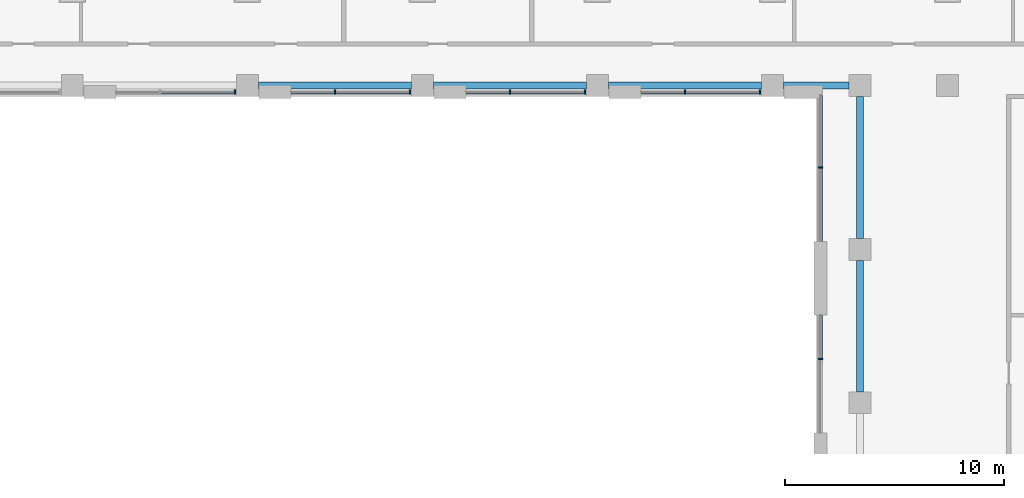
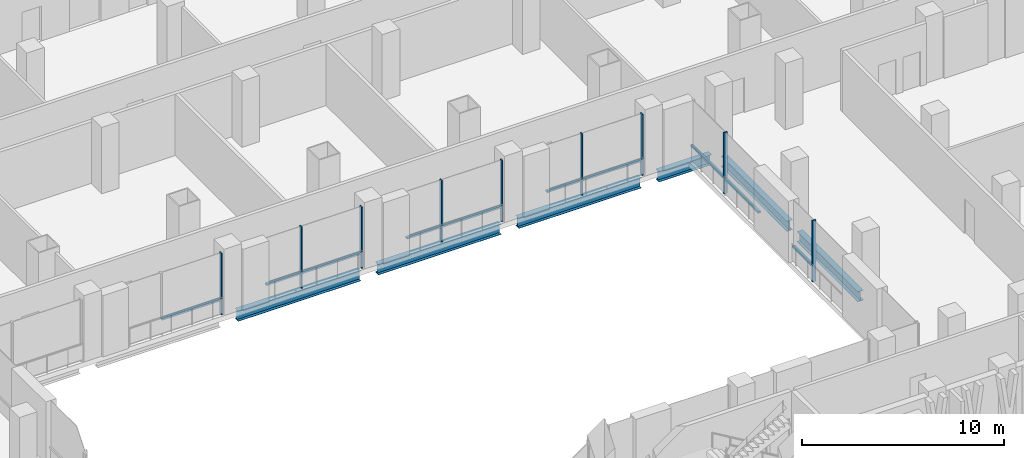
# One storey, part 4 of 25: 19 members, 6 beams, 6 elements without a shape of their own.
"""IFC4 building model written with IfcOpenShell, lengths in metres."""

import ifcopenshell
import ifcopenshell.guid

model = None  # the IFC model being written
_history = None  # IfcOwnerHistory: only IFC2X3 demands one
_inside = {}  # id of a spatial element -> (the spatial element, [elements in it])
_under = {}  # id of a project, library or spatial element -> (it, [spatial elements below it])
_declared = {}  # id of a project -> (the project, [libraries it declares])
_typed = {}  # id of a type object -> (the type object, [elements of that type])
_made_of = {}  # id of a material, layer set ... -> (it, [elements and type objects made of it])


def new_model(schema):
    """Start an empty IFC model of exactly this schema.

    Asked for "IFC4X3", IfcOpenShell would pick the latest addendum, in which some entities
    have other attributes; the version numbers below select the first issue.
    IFC2X3 requires an IfcOwnerHistory on every rooted entity: one is made here for all.
    """
    global model, _history
    if schema == "IFC4X3":
        model = ifcopenshell.file(schema_version=(4, 3, 0, 0))
    else:
        model = ifcopenshell.file(schema=schema)
    _inside.clear()
    _under.clear()
    _declared.clear()
    _typed.clear()
    _made_of.clear()
    _history = None
    if model.schema == "IFC2X3":
        org = make("IfcOrganization", Name="unknown")
        user = make(
            "IfcPersonAndOrganization",
            ThePerson=make("IfcPerson", FamilyName="unknown"),
            TheOrganization=org,
        )
        app = make(
            "IfcApplication",
            ApplicationDeveloper=org,
            Version="unknown",
            ApplicationFullName="unknown",
            ApplicationIdentifier="unknown",
        )
        _history = make(
            "IfcOwnerHistory",
            OwningUser=user,
            OwningApplication=app,
            ChangeAction="ADDED",
            CreationDate=0,
        )
    return model


def make(cls, **values):
    """One entity of the class cls with the attributes given. An attribute that is None is left unset."""
    return model.create_entity(
        cls, **{name: value for name, value in values.items() if value is not None}
    )


def rooted(cls, **values):
    """An entity with a GlobalId (a new one), such as an element, a storey or a relation."""
    return make(cls, GlobalId=ifcopenshell.guid.new(), OwnerHistory=_history, **values)


def si_unit(unit_type, name, prefix=None):
    """IfcSIUnit, for example si_unit("LENGTHUNIT", "METRE", prefix="MILLI")."""
    return make("IfcSIUnit", UnitType=unit_type, Prefix=prefix, Name=name)


def assignment(units):
    """IfcUnitAssignment: the units of a project."""
    return None if units is None else make("IfcUnitAssignment", Units=units)


def point(xyz):
    """IfcCartesianPoint."""
    return None if xyz is None else make("IfcCartesianPoint", Coordinates=xyz)


def direction(xyz):
    """IfcDirection."""
    return None if xyz is None else make("IfcDirection", DirectionRatios=xyz)


def frame(location, z_axis=None, x_axis=None):
    """IfcAxis2Placement3D, a coordinate frame: its origin and axes. An axis left out is left unset."""
    return make(
        "IfcAxis2Placement3D",
        Location=point(location),
        Axis=direction(z_axis),
        RefDirection=direction(x_axis),
    )


def frame_2d(location, x_axis=None):
    """IfcAxis2Placement2D, a coordinate frame in the plane: its origin and x axis."""
    return make(
        "IfcAxis2Placement2D", Location=point(location), RefDirection=direction(x_axis)
    )


def origin():
    """The frame at (0, 0, 0) with its axes left unset."""
    return frame((0.0, 0.0, 0.0))


def origin_2d():
    """The frame at (0, 0) in the plane with its x axis left unset."""
    return frame_2d((0.0, 0.0))


def place(relative_to, where):
    """IfcLocalPlacement: puts the frame where relative to a parent placement (None: the world)."""
    return make(
        "IfcLocalPlacement", PlacementRelTo=relative_to, RelativePlacement=where
    )


def context(
    kind, dimensions, precision=None, world=None, true_north=None, identifier=None
):
    """IfcGeometricRepresentationContext, for example the 3D "Model" context."""
    return make(
        "IfcGeometricRepresentationContext",
        ContextIdentifier=identifier,
        ContextType=kind,
        CoordinateSpaceDimension=dimensions,
        Precision=precision,
        WorldCoordinateSystem=world,
        TrueNorth=true_north,
    )


def subcontext(parent, identifier, kind, view, scale=None):
    """IfcGeometricRepresentationSubContext, for example "Body" below "Model"."""
    return make(
        "IfcGeometricRepresentationSubContext",
        ContextIdentifier=identifier,
        ContextType=kind,
        ParentContext=parent,
        TargetScale=scale,
        TargetView=view,
    )


def project(units=None, contexts=None):
    """IfcProject with its units and contexts."""
    return rooted(
        "IfcProject",
        Name="project",
        RepresentationContexts=contexts,
        UnitsInContext=assignment(units),
    )


def spatial(cls, under=None, at=None, **own):
    """A site, building, storey or space (cls), placed at a placement, below another one or the project."""
    s = rooted(cls, ObjectPlacement=at, **own)
    if under is not None:
        _under.setdefault(under.id(), (under, []))[1].append(s)
    return s


def profile(cls, at=None, kind="AREA", **sizes):
    """A parametric profile (cls). Its sizes go by their IFC names, for example OverallWidth=200.0."""
    return make(cls, ProfileType=kind, Position=at, **sizes)


def rectangle(**sizes):
    """IfcRectangleProfileDef."""
    return profile("IfcRectangleProfileDef", **sizes)


def i_section(**sizes):
    """IfcIShapeProfileDef."""
    return profile("IfcIShapeProfileDef", **sizes)


def extrude(swept, where, along, depth):
    """IfcExtrudedAreaSolid: the profile swept, set in the frame where, extruded along a direction by depth."""
    return make(
        "IfcExtrudedAreaSolid",
        SweptArea=swept,
        Position=where,
        ExtrudedDirection=direction(along),
        Depth=depth,
    )


def shape(context_of_items, identifier, shape_type, items):
    """IfcShapeRepresentation: the items that make up one representation, for example the "Body"."""
    return make(
        "IfcShapeRepresentation",
        ContextOfItems=context_of_items,
        RepresentationIdentifier=identifier,
        RepresentationType=shape_type,
        Items=items,
    )


def material(Name=None, Category=None):
    """IfcMaterial."""
    return make("IfcMaterial", Name=Name, Category=Category)


def material_profile(
    of_material, cross_section, Name=None, Category=None, Priority=None
):
    """IfcMaterialProfile: a cross section and its material."""
    return make(
        "IfcMaterialProfile",
        Name=Name,
        Material=of_material,
        Profile=cross_section,
        Priority=Priority,
        Category=Category,
    )


def profile_set(profiles, Name=None, composite=None):
    """IfcMaterialProfileSet."""
    return make(
        "IfcMaterialProfileSet",
        Name=Name,
        MaterialProfiles=profiles,
        CompositeProfile=composite,
    )


def made_of(thing, what):
    """Note that an element or type object is made of a material, layer set ...; save() writes the relation."""
    if what is not None:
        _made_of.setdefault(what.id(), (what, []))[1].append(thing)
    return thing


def type_object(cls, material=None, **own):
    """A type object (cls), such as IfcWallType, which elements share."""
    return made_of(rooted(cls, **own), material)


def element(
    cls,
    number,
    at=None,
    inside=None,
    cuts=None,
    type_object=None,
    material=None,
    context=None,
    identifier="Body",
    shape_type=None,
    held_by="IfcProductDefinitionShape",
    body=None,
    shapes=None,
    **own,
):
    """One element of the class cls, such as IfcWall. Its Tag is "e" and its number.

    at: its placement. inside: the storey or other place that contains it. cuts: it is an
    opening in that element (IfcRelVoidsElement). A single representation is given by context,
    identifier, shape_type and body (its items); several are given by shapes. held_by: the class
    of the entity that holds the representations. save() writes the other relations.
    """
    e = rooted(cls, Tag="e%d" % number, ObjectPlacement=at, **own)
    if body is not None:
        shapes = [shape(context, identifier, shape_type, body)]
    if shapes is not None:
        e.Representation = make(held_by, Representations=shapes)
    if inside is not None:
        _inside.setdefault(inside.id(), (inside, []))[1].append(e)
    if cuts is not None:
        rooted(
            "IfcRelVoidsElement", RelatingBuildingElement=cuts, RelatedOpeningElement=e
        )
    if type_object is not None:
        _typed.setdefault(type_object.id(), (type_object, []))[1].append(e)
    return made_of(e, material)


def aggregate(whole, parts):
    """IfcRelAggregates: a whole, such as a stair, and the parts it consists of."""
    return rooted("IfcRelAggregates", RelatingObject=whole, RelatedObjects=parts)


def save(model, path):
    """Write the relations noted so far, then the file.

    IfcRelAggregates (storeys below a building ...), IfcRelContainedInSpatialStructure (elements
    in a storey), IfcRelDefinesByType, IfcRelAssociatesMaterial and IfcRelDeclares: one each for
    every whole, place, type object, material and project.
    """
    for whole, parts in _under.values():
        aggregate(whole, parts)
    for where, things in _inside.values():
        rooted(
            "IfcRelContainedInSpatialStructure",
            RelatedElements=things,
            RelatingStructure=where,
        )
    for kind, things in _typed.values():
        rooted("IfcRelDefinesByType", RelatedObjects=things, RelatingType=kind)
    for what, things in _made_of.values():
        rooted("IfcRelAssociatesMaterial", RelatedObjects=things, RelatingMaterial=what)
    for by, libraries in _declared.values():
        rooted("IfcRelDeclares", RelatingContext=by, RelatedDefinitions=libraries)
    model.write(path)


model = new_model("IFC4")

# Units and contexts
model_context = context("Model", 3, precision=1e-05, world=origin(), true_north=direction((0.0, 1.0)))
body_context = subcontext(model_context, "Body", "Model", "MODEL_VIEW")
ifc_project = project(units=[si_unit("LENGTHUNIT", "METRE"), si_unit("AREAUNIT", "SQUARE_METRE"), si_unit("VOLUMEUNIT", "CUBIC_METRE"), si_unit("PLANEANGLEUNIT", "RADIAN"), si_unit("MASSUNIT", "GRAM", prefix="KILO")], contexts=[model_context])

# Site, building, storey
site_placement = place(None, origin())
site = spatial("IfcSite", under=ifc_project, at=site_placement, CompositionType="ELEMENT")
building_placement = place(site_placement, origin())
building = spatial("IfcBuilding", under=site, at=building_placement, Name="Vidyagriha Tower", CompositionType="ELEMENT")
storey_placement = place(building_placement, frame((0.0, 0.0, 14.0)))
storey = spatial("IfcBuildingStorey", under=building, at=storey_placement, Name="L03", CompositionType="ELEMENT", Elevation=14.0)

# Beams
ifc_material_1 = material(Name="Steel ASTM A992 Grade 50", Category="steel")
ifc_material_profile_1 = material_profile(ifc_material_1, i_section(OverallWidth=0.32373046875, OverallDepth=0.612060546875, WebThickness=0.0126953125, FlangeThickness=0.01904296875, at=origin_2d()), Name="W24X104")
ifc_profile_set_1 = profile_set([ifc_material_profile_1], Name="Steel ASTM A992 Grade 50")
beam_type = type_object("IfcBeamType", Name="Atrium edge beam W24X104", PredefinedType="BEAM", material=ifc_profile_set_1)
for number, where, z_axis, x_axis, name in (
    (1, (-5.5, -21.5, -0.60595703125), (1.0, 0.0, 0.0), (0.0, 1.0, 0.0), "st-beam-L03-AT09"),
    (2, (2.5, -21.5, -0.60595703125), (1.0, 0.0, 0.0), (0.0, 1.0, 0.0), "st-beam-L03-AT10"),
    (3, (10.5, -21.5, -0.60595703125), (1.0, 0.0, 0.0), (0.0, 1.0, 0.0), "st-beam-L03-AT11"),
):
    element("IfcBeam", number, at=place(storey_placement, frame(where, z_axis=z_axis, x_axis=x_axis)), inside=storey, type_object=beam_type, Name=name, PredefinedType="BEAM", context=body_context, shape_type="SweptSolid", body=[
        extrude(i_section(OverallWidth=0.32373046875, OverallDepth=0.612060546875, WebThickness=0.0126953125, FlangeThickness=0.01904296875, at=origin_2d()), origin(), (0.0, 0.0, 1.0), 7.0),
    ])
beam_1_placement = place(storey_placement, frame((18.5, -21.5, -0.60595703125), z_axis=(1.0, 0.0, 0.0), x_axis=(0.0, 1.0, 0.0)))
element("IfcBeam", 4, at=beam_1_placement, inside=storey, type_object=beam_type, Name="st-beam-L03-AT12", PredefinedType="BEAM", context=body_context, shape_type="SweptSolid", body=[
    extrude(i_section(OverallWidth=0.32373046875, OverallDepth=0.612060546875, WebThickness=0.0126953125, FlangeThickness=0.01904296875, at=origin_2d()), origin(), (0.0, 0.0, 1.0), 3.0),
])
beam_2_placement = place(storey_placement, frame((22.0, -35.5, -0.60595703125), z_axis=(0.0, 1.0, 0.0), x_axis=(-1.0, 0.0, 0.0)))
element("IfcBeam", 5, at=beam_2_placement, inside=storey, type_object=beam_type, Name="st-beam-L03-AT17", PredefinedType="BEAM", context=body_context, shape_type="SweptSolid", body=[
    extrude(i_section(OverallWidth=0.32373046875, OverallDepth=0.612060546875, WebThickness=0.0126953125, FlangeThickness=0.01904296875, at=origin_2d()), origin(), (0.0, 0.0, 1.0), 6.0),
])
beam_3_placement = place(storey_placement, frame((22.0, -28.5, -0.60595703125), z_axis=(0.0, 1.0, 0.0), x_axis=(-1.0, 0.0, 0.0)))
element("IfcBeam", 6, at=beam_3_placement, inside=storey, type_object=beam_type, Name="st-beam-L03-AT18", PredefinedType="BEAM", context=body_context, shape_type="SweptSolid", body=[
    extrude(i_section(OverallWidth=0.32373046875, OverallDepth=0.612060546875, WebThickness=0.0126953125, FlangeThickness=0.01904296875, at=origin_2d()), origin(), (0.0, 0.0, 1.0), 6.5),
])

# Curtain wall, member
ifc_material_2 = material(Name="Aluminium and glass curtain wall", Category="aluminium")
curtain_wall_type = type_object("IfcCurtainWallType", Name="Atrium screen curtain wall", PredefinedType="USERDEFINED", material=ifc_material_2)
curtain_wall_1_placement = place(storey_placement, origin())
curtain_wall_1 = element("IfcCurtainWall", 7, at=curtain_wall_1_placement, inside=storey, type_object=curtain_wall_type, Name="CW6 atrium screen", ObjectType="UNITISED", PredefinedType="USERDEFINED")
ifc_material_3 = material(Name="Aluminium black anodised", Category="aluminium")
ifc_material_profile_2 = material_profile(ifc_material_3, rectangle(XDim=0.199951171875, YDim=0.070068359375, at=origin_2d()), Name="Mullion 70x200 black aluminium")
ifc_profile_set_2 = profile_set([ifc_material_profile_2], Name="Aluminium black anodised")
member_type_1 = type_object("IfcMemberType", Name="Mullion 70x200 black aluminium", PredefinedType="MULLION", material=ifc_profile_set_2)
member_1_placement = place(storey_placement, frame((-6.56494140625, -21.800048828125, 0.0), z_axis=(0.0, 0.0, 1.0), x_axis=(0.0, 1.0, 0.0)))
member_1 = element("IfcMember", 8, at=member_1_placement, type_object=member_type_1, Name="CW6 mullion 3", PredefinedType="MULLION", context=body_context, shape_type="SweptSolid", body=[
    extrude(rectangle(XDim=0.199951171875, YDim=0.070068359375, at=origin_2d()), origin(), (0.0, 0.0, 1.0), 3.699951171875),
])

# Curtain wall, members
curtain_wall_2_placement = place(storey_placement, origin())
curtain_wall_2 = element("IfcCurtainWall", 9, at=curtain_wall_2_placement, inside=storey, type_object=curtain_wall_type, Name="CW6 atrium screen", ObjectType="UNITISED", PredefinedType="USERDEFINED")
member_2_placement = place(storey_placement, frame((-2.0, -21.800048828125, 0.0), z_axis=(0.0, 0.0, 1.0), x_axis=(0.0, 1.0, 0.0)))
member_2 = element("IfcMember", 10, at=member_2_placement, type_object=member_type_1, Name="CW6 mullion 2", PredefinedType="MULLION", context=body_context, shape_type="SweptSolid", body=[
    extrude(rectangle(XDim=0.199951171875, YDim=0.070068359375, at=origin_2d()), origin(), (0.0, 0.0, 1.0), 3.699951171875),
])
member_3_placement = place(storey_placement, frame((1.43505859375, -21.800048828125, 0.0), z_axis=(0.0, 0.0, 1.0), x_axis=(0.0, 1.0, 0.0)))
member_3 = element("IfcMember", 11, at=member_3_placement, type_object=member_type_1, Name="CW6 mullion 3", PredefinedType="MULLION", context=body_context, shape_type="SweptSolid", body=[
    extrude(rectangle(XDim=0.199951171875, YDim=0.070068359375, at=origin_2d()), origin(), (0.0, 0.0, 1.0), 3.699951171875),
])

curtain_wall_3_placement = place(storey_placement, origin())
curtain_wall_3 = element("IfcCurtainWall", 12, at=curtain_wall_3_placement, inside=storey, type_object=curtain_wall_type, Name="CW6 atrium screen", ObjectType="UNITISED", PredefinedType="USERDEFINED")
member_4_placement = place(storey_placement, frame((6.0, -21.800048828125, 0.0), z_axis=(0.0, 0.0, 1.0), x_axis=(0.0, 1.0, 0.0)))
member_4 = element("IfcMember", 13, at=member_4_placement, type_object=member_type_1, Name="CW6 mullion 2", PredefinedType="MULLION", context=body_context, shape_type="SweptSolid", body=[
    extrude(rectangle(XDim=0.199951171875, YDim=0.070068359375, at=origin_2d()), origin(), (0.0, 0.0, 1.0), 3.699951171875),
])
member_5_placement = place(storey_placement, frame((9.43505859375, -21.800048828125, 0.0), z_axis=(0.0, 0.0, 1.0), x_axis=(0.0, 1.0, 0.0)))
member_5 = element("IfcMember", 14, at=member_5_placement, type_object=member_type_1, Name="CW6 mullion 3", PredefinedType="MULLION", context=body_context, shape_type="SweptSolid", body=[
    extrude(rectangle(XDim=0.199951171875, YDim=0.070068359375, at=origin_2d()), origin(), (0.0, 0.0, 1.0), 3.699951171875),
])

curtain_wall_4_placement = place(storey_placement, origin())
curtain_wall_4 = element("IfcCurtainWall", 15, at=curtain_wall_4_placement, inside=storey, type_object=curtain_wall_type, Name="CW6 atrium screen", ObjectType="UNITISED", PredefinedType="USERDEFINED")
member_6_placement = place(storey_placement, frame((14.0, -21.800048828125, 0.0), z_axis=(0.0, 0.0, 1.0), x_axis=(0.0, 1.0, 0.0)))
member_6 = element("IfcMember", 16, at=member_6_placement, type_object=member_type_1, Name="CW6 mullion 2", PredefinedType="MULLION", context=body_context, shape_type="SweptSolid", body=[
    extrude(rectangle(XDim=0.199951171875, YDim=0.070068359375, at=origin_2d()), origin(), (0.0, 0.0, 1.0), 3.699951171875),
])
member_7_placement = place(storey_placement, frame((17.43505859375, -21.800048828125, 0.0), z_axis=(0.0, 0.0, 1.0), x_axis=(0.0, 1.0, 0.0)))
member_7 = element("IfcMember", 17, at=member_7_placement, type_object=member_type_1, Name="CW6 mullion 3", PredefinedType="MULLION", context=body_context, shape_type="SweptSolid", body=[
    extrude(rectangle(XDim=0.199951171875, YDim=0.070068359375, at=origin_2d()), origin(), (0.0, 0.0, 1.0), 3.699951171875),
])

# Curtain wall, member
curtain_wall_5_placement = place(storey_placement, origin())
curtain_wall_5 = element("IfcCurtainWall", 18, at=curtain_wall_5_placement, inside=storey, type_object=curtain_wall_type, Name="CW6 atrium screen", ObjectType="UNITISED", PredefinedType="USERDEFINED")
member_8_placement = place(storey_placement, frame((20.199951171875, -25.25341796875, 0.0)))
member_8 = element("IfcMember", 19, at=member_8_placement, type_object=member_type_1, Name="CW6 mullion 2", PredefinedType="MULLION", context=body_context, shape_type="SweptSolid", body=[
    extrude(rectangle(XDim=0.199951171875, YDim=0.070068359375, at=origin_2d()), origin(), (0.0, 0.0, 1.0), 3.699951171875),
])

curtain_wall_6_placement = place(storey_placement, origin())
curtain_wall_6 = element("IfcCurtainWall", 20, at=curtain_wall_6_placement, inside=storey, type_object=curtain_wall_type, Name="CW6 atrium screen", ObjectType="UNITISED", PredefinedType="USERDEFINED")
member_9_placement = place(storey_placement, frame((20.199951171875, -34.0, 0.0)))
member_9 = element("IfcMember", 21, at=member_9_placement, type_object=member_type_1, Name="CW6 mullion 2", PredefinedType="MULLION", context=body_context, shape_type="SweptSolid", body=[
    extrude(rectangle(XDim=0.199951171875, YDim=0.070068359375, at=origin_2d()), origin(), (0.0, 0.0, 1.0), 3.699951171875),
])

# Member
ifc_material_4 = material(Name="Aluminium black anodised", Category="aluminium")
ifc_material_profile_3 = material_profile(ifc_material_4, rectangle(XDim=0.159912109375, YDim=0.10009765625, at=origin_2d()), Name="Transom 100x160 black aluminium")
ifc_profile_set_3 = profile_set([ifc_material_profile_3], Name="Aluminium black anodised")
member_type_2 = type_object("IfcMemberType", Name="Transom 100x160 black aluminium", PredefinedType="USERDEFINED", material=ifc_profile_set_3)
member_10_placement = place(storey_placement, frame((-9.965087890625, -21.800048828125, 0.89990234375), z_axis=(1.0, 0.0, 0.0), x_axis=(0.0, 1.0, 0.0)))
member_10 = element("IfcMember", 22, at=member_10_placement, type_object=member_type_2, Name="CW6 transom 2.1", ObjectType="TRANSOM", PredefinedType="USERDEFINED", context=body_context, shape_type="SweptSolid", body=[
    extrude(rectangle(XDim=0.159912109375, YDim=0.10009765625, at=origin_2d()), origin(), (0.0, 0.0, 1.0), 3.364990234375),
])

aggregate(curtain_wall_1, [member_1, member_10])

member_11_placement = place(storey_placement, frame((-4.0, -21.800048828125, 0.89990234375), z_axis=(1.0, 0.0, 0.0), x_axis=(0.0, 1.0, 0.0)))
member_11 = element("IfcMember", 23, at=member_11_placement, type_object=member_type_2, Name="CW6 transom 1.1", ObjectType="TRANSOM", PredefinedType="USERDEFINED", context=body_context, shape_type="SweptSolid", body=[
    extrude(rectangle(XDim=0.159912109375, YDim=0.10009765625, at=origin_2d()), origin(), (0.0, 0.0, 1.0), 1.965087890625),
])

member_12_placement = place(storey_placement, frame((-1.965087890625, -21.800048828125, 0.89990234375), z_axis=(1.0, 0.0, 0.0), x_axis=(0.0, 1.0, 0.0)))
member_12 = element("IfcMember", 24, at=member_12_placement, type_object=member_type_2, Name="CW6 transom 2.1", ObjectType="TRANSOM", PredefinedType="USERDEFINED", context=body_context, shape_type="SweptSolid", body=[
    extrude(rectangle(XDim=0.159912109375, YDim=0.10009765625, at=origin_2d()), origin(), (0.0, 0.0, 1.0), 3.364990234375),
])

aggregate(curtain_wall_2, [member_2, member_3, member_11, member_12])

member_13_placement = place(storey_placement, frame((4.0, -21.800048828125, 0.89990234375), z_axis=(1.0, 0.0, 0.0), x_axis=(0.0, 1.0, 0.0)))
member_13 = element("IfcMember", 25, at=member_13_placement, type_object=member_type_2, Name="CW6 transom 1.1", ObjectType="TRANSOM", PredefinedType="USERDEFINED", context=body_context, shape_type="SweptSolid", body=[
    extrude(rectangle(XDim=0.159912109375, YDim=0.10009765625, at=origin_2d()), origin(), (0.0, 0.0, 1.0), 1.965087890625),
])

member_14_placement = place(storey_placement, frame((6.034912109375, -21.800048828125, 0.89990234375), z_axis=(1.0, 0.0, 0.0), x_axis=(0.0, 1.0, 0.0)))
member_14 = element("IfcMember", 26, at=member_14_placement, type_object=member_type_2, Name="CW6 transom 2.1", ObjectType="TRANSOM", PredefinedType="USERDEFINED", context=body_context, shape_type="SweptSolid", body=[
    extrude(rectangle(XDim=0.159912109375, YDim=0.10009765625, at=origin_2d()), origin(), (0.0, 0.0, 1.0), 3.364990234375),
])

aggregate(curtain_wall_3, [member_4, member_5, member_13, member_14])

member_15_placement = place(storey_placement, frame((12.0, -21.800048828125, 0.89990234375), z_axis=(1.0, 0.0, 0.0), x_axis=(0.0, 1.0, 0.0)))
member_15 = element("IfcMember", 27, at=member_15_placement, type_object=member_type_2, Name="CW6 transom 1.1", ObjectType="TRANSOM", PredefinedType="USERDEFINED", context=body_context, shape_type="SweptSolid", body=[
    extrude(rectangle(XDim=0.159912109375, YDim=0.10009765625, at=origin_2d()), origin(), (0.0, 0.0, 1.0), 1.965087890625),
])

member_16_placement = place(storey_placement, frame((14.034912109375, -21.800048828125, 0.89990234375), z_axis=(1.0, 0.0, 0.0), x_axis=(0.0, 1.0, 0.0)))
member_16 = element("IfcMember", 28, at=member_16_placement, type_object=member_type_2, Name="CW6 transom 2.1", ObjectType="TRANSOM", PredefinedType="USERDEFINED", context=body_context, shape_type="SweptSolid", body=[
    extrude(rectangle(XDim=0.159912109375, YDim=0.10009765625, at=origin_2d()), origin(), (0.0, 0.0, 1.0), 3.364990234375),
])

aggregate(curtain_wall_4, [member_6, member_7, member_15, member_16])

member_17_placement = place(storey_placement, frame((20.199951171875, -21.949951171875, 0.89990234375), z_axis=(0.0, -1.0, 0.0), x_axis=(1.0, 0.0, 0.0)))
member_17 = element("IfcMember", 29, at=member_17_placement, type_object=member_type_2, Name="CW6 transom 1.1", ObjectType="TRANSOM", PredefinedType="USERDEFINED", context=body_context, shape_type="SweptSolid", body=[
    extrude(rectangle(XDim=0.159912109375, YDim=0.10009765625, at=origin_2d()), origin(), (0.0, 0.0, 1.0), 3.268310546875),
])

member_18_placement = place(storey_placement, frame((20.199951171875, -25.288330078125, 0.89990234375), z_axis=(0.0, -1.0, 0.0), x_axis=(1.0, 0.0, 0.0)))
member_18 = element("IfcMember", 30, at=member_18_placement, type_object=member_type_2, Name="CW6 transom 2.1", ObjectType="TRANSOM", PredefinedType="USERDEFINED", context=body_context, shape_type="SweptSolid", body=[
    extrude(rectangle(XDim=0.159912109375, YDim=0.10009765625, at=origin_2d()), origin(), (0.0, 0.0, 1.0), 3.33837890625),
])

aggregate(curtain_wall_5, [member_8, member_17, member_18])

member_19_placement = place(storey_placement, frame((20.199951171875, -32.0, 0.89990234375), z_axis=(0.0, -1.0, 0.0), x_axis=(1.0, 0.0, 0.0)))
member_19 = element("IfcMember", 31, at=member_19_placement, type_object=member_type_2, Name="CW6 transom 1.1", ObjectType="TRANSOM", PredefinedType="USERDEFINED", context=body_context, shape_type="SweptSolid", body=[
    extrude(rectangle(XDim=0.159912109375, YDim=0.10009765625, at=origin_2d()), origin(), (0.0, 0.0, 1.0), 1.965087890625),
])

aggregate(curtain_wall_6, [member_9, member_19])

save(model, "model.ifc")
